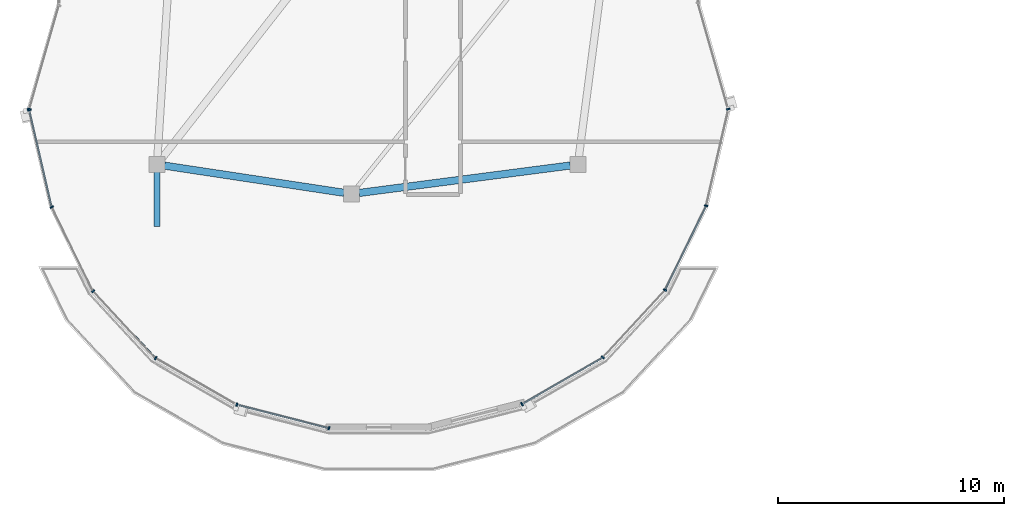
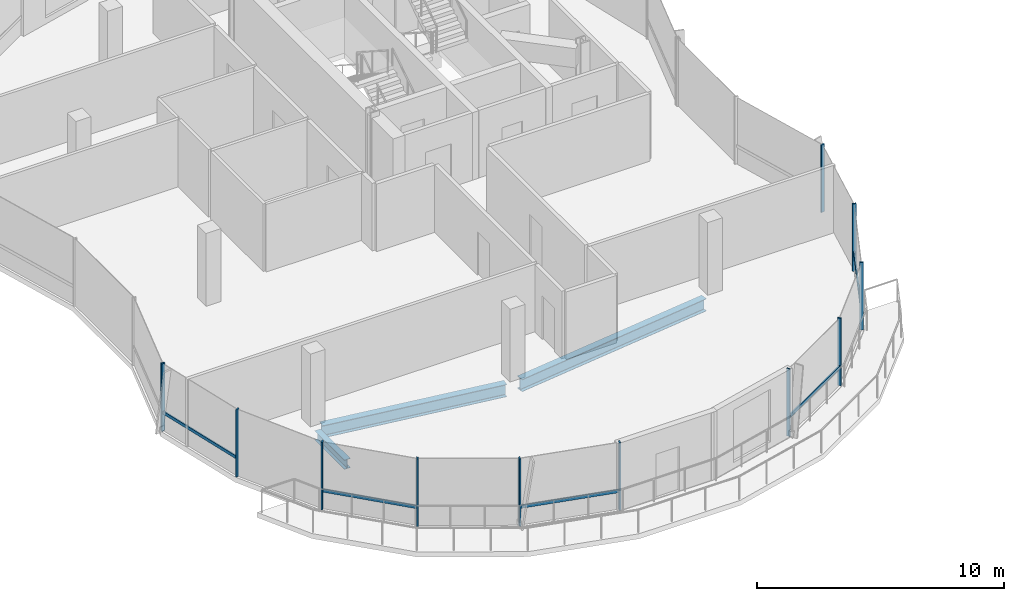
# One storey, part 2 of 20: 17 members, 3 beams, 3 elements without a shape of their own.
"""IFC4 building model written with IfcOpenShell, lengths in metres."""

import ifcopenshell
import ifcopenshell.guid

model = None  # the IFC model being written
_history = None  # IfcOwnerHistory: only IFC2X3 demands one
_inside = {}  # id of a spatial element -> (the spatial element, [elements in it])
_under = {}  # id of a project, library or spatial element -> (it, [spatial elements below it])
_declared = {}  # id of a project -> (the project, [libraries it declares])
_typed = {}  # id of a type object -> (the type object, [elements of that type])
_made_of = {}  # id of a material, layer set ... -> (it, [elements and type objects made of it])


def new_model(schema):
    """Start an empty IFC model of exactly this schema.

    Asked for "IFC4X3", IfcOpenShell would pick the latest addendum, in which some entities
    have other attributes; the version numbers below select the first issue.
    IFC2X3 requires an IfcOwnerHistory on every rooted entity: one is made here for all.
    """
    global model, _history
    if schema == "IFC4X3":
        model = ifcopenshell.file(schema_version=(4, 3, 0, 0))
    else:
        model = ifcopenshell.file(schema=schema)
    _inside.clear()
    _under.clear()
    _declared.clear()
    _typed.clear()
    _made_of.clear()
    _history = None
    if model.schema == "IFC2X3":
        org = make("IfcOrganization", Name="unknown")
        user = make(
            "IfcPersonAndOrganization",
            ThePerson=make("IfcPerson", FamilyName="unknown"),
            TheOrganization=org,
        )
        app = make(
            "IfcApplication",
            ApplicationDeveloper=org,
            Version="unknown",
            ApplicationFullName="unknown",
            ApplicationIdentifier="unknown",
        )
        _history = make(
            "IfcOwnerHistory",
            OwningUser=user,
            OwningApplication=app,
            ChangeAction="ADDED",
            CreationDate=0,
        )
    return model


def make(cls, **values):
    """One entity of the class cls with the attributes given. An attribute that is None is left unset."""
    return model.create_entity(
        cls, **{name: value for name, value in values.items() if value is not None}
    )


def rooted(cls, **values):
    """An entity with a GlobalId (a new one), such as an element, a storey or a relation."""
    return make(cls, GlobalId=ifcopenshell.guid.new(), OwnerHistory=_history, **values)


def si_unit(unit_type, name, prefix=None):
    """IfcSIUnit, for example si_unit("LENGTHUNIT", "METRE", prefix="MILLI")."""
    return make("IfcSIUnit", UnitType=unit_type, Prefix=prefix, Name=name)


def assignment(units):
    """IfcUnitAssignment: the units of a project."""
    return None if units is None else make("IfcUnitAssignment", Units=units)


def point(xyz):
    """IfcCartesianPoint."""
    return None if xyz is None else make("IfcCartesianPoint", Coordinates=xyz)


def direction(xyz):
    """IfcDirection."""
    return None if xyz is None else make("IfcDirection", DirectionRatios=xyz)


def frame(location, z_axis=None, x_axis=None):
    """IfcAxis2Placement3D, a coordinate frame: its origin and axes. An axis left out is left unset."""
    return make(
        "IfcAxis2Placement3D",
        Location=point(location),
        Axis=direction(z_axis),
        RefDirection=direction(x_axis),
    )


def frame_2d(location, x_axis=None):
    """IfcAxis2Placement2D, a coordinate frame in the plane: its origin and x axis."""
    return make(
        "IfcAxis2Placement2D", Location=point(location), RefDirection=direction(x_axis)
    )


def origin():
    """The frame at (0, 0, 0) with its axes left unset."""
    return frame((0.0, 0.0, 0.0))


def origin_2d():
    """The frame at (0, 0) in the plane with its x axis left unset."""
    return frame_2d((0.0, 0.0))


def place(relative_to, where):
    """IfcLocalPlacement: puts the frame where relative to a parent placement (None: the world)."""
    return make(
        "IfcLocalPlacement", PlacementRelTo=relative_to, RelativePlacement=where
    )


def context(
    kind, dimensions, precision=None, world=None, true_north=None, identifier=None
):
    """IfcGeometricRepresentationContext, for example the 3D "Model" context."""
    return make(
        "IfcGeometricRepresentationContext",
        ContextIdentifier=identifier,
        ContextType=kind,
        CoordinateSpaceDimension=dimensions,
        Precision=precision,
        WorldCoordinateSystem=world,
        TrueNorth=true_north,
    )


def subcontext(parent, identifier, kind, view, scale=None):
    """IfcGeometricRepresentationSubContext, for example "Body" below "Model"."""
    return make(
        "IfcGeometricRepresentationSubContext",
        ContextIdentifier=identifier,
        ContextType=kind,
        ParentContext=parent,
        TargetScale=scale,
        TargetView=view,
    )


def project(units=None, contexts=None):
    """IfcProject with its units and contexts."""
    return rooted(
        "IfcProject",
        Name="project",
        RepresentationContexts=contexts,
        UnitsInContext=assignment(units),
    )


def spatial(cls, under=None, at=None, **own):
    """A site, building, storey or space (cls), placed at a placement, below another one or the project."""
    s = rooted(cls, ObjectPlacement=at, **own)
    if under is not None:
        _under.setdefault(under.id(), (under, []))[1].append(s)
    return s


def profile(cls, at=None, kind="AREA", **sizes):
    """A parametric profile (cls). Its sizes go by their IFC names, for example OverallWidth=200.0."""
    return make(cls, ProfileType=kind, Position=at, **sizes)


def rectangle(**sizes):
    """IfcRectangleProfileDef."""
    return profile("IfcRectangleProfileDef", **sizes)


def i_section(**sizes):
    """IfcIShapeProfileDef."""
    return profile("IfcIShapeProfileDef", **sizes)


def extrude(swept, where, along, depth):
    """IfcExtrudedAreaSolid: the profile swept, set in the frame where, extruded along a direction by depth."""
    return make(
        "IfcExtrudedAreaSolid",
        SweptArea=swept,
        Position=where,
        ExtrudedDirection=direction(along),
        Depth=depth,
    )


def shape(context_of_items, identifier, shape_type, items):
    """IfcShapeRepresentation: the items that make up one representation, for example the "Body"."""
    return make(
        "IfcShapeRepresentation",
        ContextOfItems=context_of_items,
        RepresentationIdentifier=identifier,
        RepresentationType=shape_type,
        Items=items,
    )


def material(Name=None, Category=None):
    """IfcMaterial."""
    return make("IfcMaterial", Name=Name, Category=Category)


def material_profile(
    of_material, cross_section, Name=None, Category=None, Priority=None
):
    """IfcMaterialProfile: a cross section and its material."""
    return make(
        "IfcMaterialProfile",
        Name=Name,
        Material=of_material,
        Profile=cross_section,
        Priority=Priority,
        Category=Category,
    )


def profile_set(profiles, Name=None, composite=None):
    """IfcMaterialProfileSet."""
    return make(
        "IfcMaterialProfileSet",
        Name=Name,
        MaterialProfiles=profiles,
        CompositeProfile=composite,
    )


def made_of(thing, what):
    """Note that an element or type object is made of a material, layer set ...; save() writes the relation."""
    if what is not None:
        _made_of.setdefault(what.id(), (what, []))[1].append(thing)
    return thing


def type_object(cls, material=None, **own):
    """A type object (cls), such as IfcWallType, which elements share."""
    return made_of(rooted(cls, **own), material)


def element(
    cls,
    number,
    at=None,
    inside=None,
    cuts=None,
    type_object=None,
    material=None,
    context=None,
    identifier="Body",
    shape_type=None,
    held_by="IfcProductDefinitionShape",
    body=None,
    shapes=None,
    **own,
):
    """One element of the class cls, such as IfcWall. Its Tag is "e" and its number.

    at: its placement. inside: the storey or other place that contains it. cuts: it is an
    opening in that element (IfcRelVoidsElement). A single representation is given by context,
    identifier, shape_type and body (its items); several are given by shapes. held_by: the class
    of the entity that holds the representations. save() writes the other relations.
    """
    e = rooted(cls, Tag="e%d" % number, ObjectPlacement=at, **own)
    if body is not None:
        shapes = [shape(context, identifier, shape_type, body)]
    if shapes is not None:
        e.Representation = make(held_by, Representations=shapes)
    if inside is not None:
        _inside.setdefault(inside.id(), (inside, []))[1].append(e)
    if cuts is not None:
        rooted(
            "IfcRelVoidsElement", RelatingBuildingElement=cuts, RelatedOpeningElement=e
        )
    if type_object is not None:
        _typed.setdefault(type_object.id(), (type_object, []))[1].append(e)
    return made_of(e, material)


def aggregate(whole, parts):
    """IfcRelAggregates: a whole, such as a stair, and the parts it consists of."""
    return rooted("IfcRelAggregates", RelatingObject=whole, RelatedObjects=parts)


def save(model, path):
    """Write the relations noted so far, then the file.

    IfcRelAggregates (storeys below a building ...), IfcRelContainedInSpatialStructure (elements
    in a storey), IfcRelDefinesByType, IfcRelAssociatesMaterial and IfcRelDeclares: one each for
    every whole, place, type object, material and project.
    """
    for whole, parts in _under.values():
        aggregate(whole, parts)
    for where, things in _inside.values():
        rooted(
            "IfcRelContainedInSpatialStructure",
            RelatedElements=things,
            RelatingStructure=where,
        )
    for kind, things in _typed.values():
        rooted("IfcRelDefinesByType", RelatedObjects=things, RelatingType=kind)
    for what, things in _made_of.values():
        rooted("IfcRelAssociatesMaterial", RelatedObjects=things, RelatingMaterial=what)
    for by, libraries in _declared.values():
        rooted("IfcRelDeclares", RelatingContext=by, RelatedDefinitions=libraries)
    model.write(path)


model = new_model("IFC4")

# Units and contexts
model_context = context("Model", 3, precision=1e-05, world=origin(), true_north=direction((0.0, 1.0)))
body_context = subcontext(model_context, "Body", "Model", "MODEL_VIEW")
ifc_project = project(units=[si_unit("LENGTHUNIT", "METRE"), si_unit("AREAUNIT", "SQUARE_METRE"), si_unit("VOLUMEUNIT", "CUBIC_METRE"), si_unit("PLANEANGLEUNIT", "RADIAN"), si_unit("MASSUNIT", "GRAM", prefix="KILO"), si_unit("THERMODYNAMICTEMPERATUREUNIT", "KELVIN"), si_unit("POWERUNIT", "WATT")], contexts=[model_context])

# Site, building, storey
site_placement = place(None, origin())
site = spatial("IfcSite", under=ifc_project, at=site_placement, CompositionType="ELEMENT")
building_placement = place(site_placement, origin())
building = spatial("IfcBuilding", under=site, at=building_placement, Name="Cundina Bronze Exchange", CompositionType="ELEMENT")
storey_placement = place(building_placement, frame((0.0, 0.0, 279.199951171875)))
storey = spatial("IfcBuildingStorey", under=building, at=storey_placement, Name="L74", CompositionType="ELEMENT", Elevation=279.199951171875)

# Beams
ifc_material_1 = material(Name="Steel ASTM A992 Grade 50", Category="steel")
ifc_material_profile_1 = material_profile(ifc_material_1, i_section(OverallWidth=0.280029296875, OverallDepth=0.462890625, WebThickness=0.0107421875, FlangeThickness=0.017333984375, FilletRadius=0.011962890625, at=origin_2d()), Name="W18X76", Category="steel")
ifc_profile_set_1 = profile_set([ifc_material_profile_1], Name="Steel ASTM A992 Grade 50")
beam_type_1 = type_object("IfcBeamType", Name="BM-FLR-W18A", PredefinedType="BEAM", material=ifc_profile_set_1)
beam_1_placement = place(storey_placement, frame((-41.800048828125, -9.837890625, -0.496337890625), z_axis=(0.0, -1.0, 0.0), x_axis=(1.0, 0.0, 0.0)))
element("IfcBeam", 1, at=beam_1_placement, inside=storey, type_object=beam_type_1, Name="L74 W Crown Terrace Edge Bracket 2", PredefinedType="BEAM", context=body_context, shape_type="SweptSolid", body=[
    extrude(i_section(OverallWidth=0.280029296875, OverallDepth=0.462890625, WebThickness=0.0107421875, FlangeThickness=0.017333984375, FilletRadius=0.011962890625, at=origin_2d()), origin(), (0.0, 0.0, 1.0), 2.412109375),
])
ifc_material_profile_2 = material_profile(ifc_material_1, i_section(OverallWidth=0.324951171875, OverallDepth=0.615966796875, WebThickness=0.013916015625, FlangeThickness=0.021484375, FilletRadius=0.01611328125, at=origin_2d()), Name="W24X117", Category="steel")
ifc_profile_set_2 = profile_set([ifc_material_profile_2], Name="Steel ASTM A992 Grade 50")
beam_type_2 = type_object("IfcBeamType", Name="BM-RING-W24", PredefinedType="USERDEFINED", material=ifc_profile_set_2)
beam_2_placement = place(storey_placement, frame((-41.4658203125, -9.550537109375, -0.56787109375), z_axis=(0.988766944604, -0.149465478483, 0.0), x_axis=(0.149465478483, 0.988766944604, 0.0)))
element("IfcBeam", 2, at=beam_2_placement, inside=storey, type_object=beam_type_2, Name="L74 W Inner Structural Ring Girder 05", ObjectType="GIRDER", PredefinedType="USERDEFINED", context=body_context, shape_type="SweptSolid", body=[
    extrude(i_section(OverallWidth=0.324951171875, OverallDepth=0.615966796875, WebThickness=0.013916015625, FlangeThickness=0.021484375, FilletRadius=0.01611328125, at=origin_2d()), origin(), (0.0, 0.0, 1.0), 8.021728515625),
])
beam_3_placement = place(storey_placement, frame((-32.86474609375, -10.75634765625, -0.56787109375), z_axis=(0.991658337433, 0.128894304758, 0.0), x_axis=(-0.128894304758, 0.991658337433, 0.0)))
element("IfcBeam", 3, at=beam_3_placement, inside=storey, type_object=beam_type_2, Name="L74 W Inner Structural Ring Girder 06", ObjectType="GIRDER", PredefinedType="USERDEFINED", context=body_context, shape_type="SweptSolid", body=[
    extrude(i_section(OverallWidth=0.324951171875, OverallDepth=0.615966796875, WebThickness=0.013916015625, FlangeThickness=0.021484375, FilletRadius=0.01611328125, at=origin_2d()), origin(), (0.0, 0.0, 1.0), 9.407958984375),
])

# Curtain wall, member
ifc_material_2 = material(Name="Anodised Bronze Aluminium 6063-T6", Category="aluminium")
curtain_wall_type = type_object("IfcCurtainWallType", Name="CWS-CRN-TMD", PredefinedType="NOTDEFINED", material=ifc_material_2)
curtain_wall_1_placement = place(storey_placement, origin())
curtain_wall_1 = element("IfcCurtainWall", 4, at=curtain_wall_1_placement, inside=storey, type_object=curtain_wall_type, Name="L74 CW-07 Curtain Wall Run CWR-L74-W2", PredefinedType="NOTDEFINED")
ifc_material_profile_3 = material_profile(ifc_material_2, rectangle(XDim=0.06494140625, YDim=0.159912109375, at=origin_2d()), Name="AL65X160", Category="aluminium")
ifc_profile_set_3 = profile_set([ifc_material_profile_3], Name="Anodised Bronze Aluminium 6063-T6")
member_type_1 = type_object("IfcMemberType", Name="CWM-MUL-160", PredefinedType="MULLION", material=ifc_profile_set_3)
member_1_placement = place(storey_placement, frame((-47.4453125, -7.0517578125, 0.0), z_axis=(0.0, 0.0, 1.0), x_axis=(-0.274630573972, -0.961549815579, 0.0)))
member_1 = element("IfcMember", 5, at=member_1_placement, type_object=member_type_1, Name="CW-07 End Mullion", PredefinedType="MULLION", context=body_context, shape_type="SweptSolid", body=[
    extrude(rectangle(XDim=0.06494140625, YDim=0.159912109375, at=origin_2d()), origin(), (0.0, 0.0, 1.0), 3.340087890625),
])
aggregate(curtain_wall_1, [member_1])

# Curtain wall, members
curtain_wall_2_placement = place(storey_placement, origin())
curtain_wall_2 = element("IfcCurtainWall", 6, at=curtain_wall_2_placement, inside=storey, type_object=curtain_wall_type, Name="L74 CW-07 Curtain Wall Run CWR-L74-W3", PredefinedType="NOTDEFINED")
member_2_placement = place(storey_placement, frame((-47.4462890625, -7.08984375, 0.0), z_axis=(0.0, 0.0, 1.0), x_axis=(0.225291159947, -0.974291482694, 0.0)))
member_2 = element("IfcMember", 7, at=member_2_placement, type_object=member_type_1, Name="CW-07 Mullion 1", PredefinedType="MULLION", context=body_context, shape_type="SweptSolid", body=[
    extrude(rectangle(XDim=0.06494140625, YDim=0.159912109375, at=origin_2d()), origin(), (0.0, 0.0, 1.0), 3.340087890625),
])
member_3_placement = place(storey_placement, frame((-46.4462890625, -11.382080078125, 0.0), z_axis=(0.0, 0.0, 1.0), x_axis=(0.43915532554, -0.898411153119, 0.0)))
member_3 = element("IfcMember", 8, at=member_3_placement, type_object=member_type_1, Name="CW-07 Mullion 2", PredefinedType="MULLION", context=body_context, shape_type="SweptSolid", body=[
    extrude(rectangle(XDim=0.06494140625, YDim=0.159912109375, at=origin_2d()), origin(), (0.0, 0.0, 1.0), 3.340087890625),
])
member_4_placement = place(storey_placement, frame((-44.619873046875, -15.097412109375, 0.0), z_axis=(0.0, 0.0, 1.0), x_axis=(0.680465121782, -0.732780470562, 0.0)))
member_4 = element("IfcMember", 9, at=member_4_placement, type_object=member_type_1, Name="CW-07 Mullion 3", PredefinedType="MULLION", context=body_context, shape_type="SweptSolid", body=[
    extrude(rectangle(XDim=0.06494140625, YDim=0.159912109375, at=origin_2d()), origin(), (0.0, 0.0, 1.0), 3.340087890625),
])
member_5_placement = place(storey_placement, frame((-41.859619140625, -18.05615234375, 0.0), z_axis=(0.0, 0.0, 1.0), x_axis=(0.866461406284, -0.499244059975, 0.0)))
member_5 = element("IfcMember", 10, at=member_5_placement, type_object=member_type_1, Name="CW-07 Mullion 4", PredefinedType="MULLION", context=body_context, shape_type="SweptSolid", body=[
    extrude(rectangle(XDim=0.06494140625, YDim=0.159912109375, at=origin_2d()), origin(), (0.0, 0.0, 1.0), 3.340087890625),
])
member_6_placement = place(storey_placement, frame((-38.272216796875, -20.11328125, 0.0), z_axis=(0.0, 0.0, 1.0), x_axis=(0.968756543371, -0.248013628006, 0.0)))
member_6 = element("IfcMember", 11, at=member_6_placement, type_object=member_type_1, Name="CW-07 Mullion 5", PredefinedType="MULLION", context=body_context, shape_type="SweptSolid", body=[
    extrude(rectangle(XDim=0.06494140625, YDim=0.159912109375, at=origin_2d()), origin(), (0.0, 0.0, 1.0), 3.340087890625),
])
member_7_placement = place(storey_placement, frame((-34.197265625, -21.15673828125, 0.0), z_axis=(0.0, 0.0, 1.0), x_axis=(0.968756543371, -0.248013628006, 0.0)))
member_7 = element("IfcMember", 12, at=member_7_placement, type_object=member_type_1, Name="CW-07 End Mullion", PredefinedType="MULLION", context=body_context, shape_type="SweptSolid", body=[
    extrude(rectangle(XDim=0.06494140625, YDim=0.159912109375, at=origin_2d()), origin(), (0.0, 0.0, 1.0), 3.340087890625),
])

curtain_wall_3_placement = place(storey_placement, origin())
curtain_wall_3 = element("IfcCurtainWall", 13, at=curtain_wall_3_placement, inside=storey, type_object=curtain_wall_type, Name="L74 CW-07 Curtain Wall Run CWR-L74-W4", PredefinedType="NOTDEFINED")
member_8_placement = place(storey_placement, frame((-25.66943359375, -20.089599609375, 0.0), z_axis=(0.0, 0.0, 1.0), x_axis=(0.866461406284, 0.499244059975, 0.0)))
member_8 = element("IfcMember", 14, at=member_8_placement, type_object=member_type_1, Name="CW-07 Mullion 1", PredefinedType="MULLION", context=body_context, shape_type="SweptSolid", body=[
    extrude(rectangle(XDim=0.06494140625, YDim=0.159912109375, at=origin_2d()), origin(), (0.0, 0.0, 1.0), 3.340087890625),
])
member_9_placement = place(storey_placement, frame((-22.09326171875, -18.0185546875, 0.0), z_axis=(0.0, 0.0, 1.0), x_axis=(0.680465121782, 0.732780470562, 0.0)))
member_9 = element("IfcMember", 15, at=member_9_placement, type_object=member_type_1, Name="CW-07 Mullion 2", PredefinedType="MULLION", context=body_context, shape_type="SweptSolid", body=[
    extrude(rectangle(XDim=0.06494140625, YDim=0.159912109375, at=origin_2d()), origin(), (0.0, 0.0, 1.0), 3.340087890625),
])
member_10_placement = place(storey_placement, frame((-19.345947265625, -15.047119140625, 0.0), z_axis=(0.0, 0.0, 1.0), x_axis=(0.43915532554, 0.898411153119, 0.0)))
member_10 = element("IfcMember", 16, at=member_10_placement, type_object=member_type_1, Name="CW-07 Mullion 3", PredefinedType="MULLION", context=body_context, shape_type="SweptSolid", body=[
    extrude(rectangle(XDim=0.06494140625, YDim=0.159912109375, at=origin_2d()), origin(), (0.0, 0.0, 1.0), 3.340087890625),
])
member_11_placement = place(storey_placement, frame((-17.53125, -11.318115234375, 0.0), z_axis=(0.0, 0.0, 1.0), x_axis=(0.225291159947, 0.974291482694, 0.0)))
member_11 = element("IfcMember", 17, at=member_11_placement, type_object=member_type_1, Name="CW-07 Mullion 4", PredefinedType="MULLION", context=body_context, shape_type="SweptSolid", body=[
    extrude(rectangle(XDim=0.06494140625, YDim=0.159912109375, at=origin_2d()), origin(), (0.0, 0.0, 1.0), 3.340087890625),
])
member_12_placement = place(storey_placement, frame((-16.5546875, -7.0517578125, 0.0), z_axis=(0.0, 0.0, 1.0), x_axis=(-0.274630573972, 0.961549815579, 0.0)))
member_12 = element("IfcMember", 18, at=member_12_placement, type_object=member_type_1, Name="CW-07 Mullion 5", PredefinedType="MULLION", context=body_context, shape_type="SweptSolid", body=[
    extrude(rectangle(XDim=0.06494140625, YDim=0.159912109375, at=origin_2d()), origin(), (0.0, 0.0, 1.0), 3.340087890625),
])

# Member
ifc_material_profile_4 = material_profile(ifc_material_2, rectangle(XDim=0.06494140625, YDim=0.14990234375, at=origin_2d()), Name="AL65X150", Category="aluminium")
ifc_profile_set_4 = profile_set([ifc_material_profile_4], Name="Anodised Bronze Aluminium 6063-T6")
member_type_2 = type_object("IfcMemberType", Name="CWM-TRN-150", PredefinedType="USERDEFINED", material=ifc_profile_set_4)
member_13_placement = place(storey_placement, frame((-47.438232421875, -7.12451171875, 0.920166015625), z_axis=(0.225237460129, -0.97430389846, 0.0), x_axis=(0.97430389846, 0.225237460129, 0.0)))
member_13 = element("IfcMember", 19, at=member_13_placement, type_object=member_type_2, Name="CW-07 Spandrel Transom 1", ObjectType="TRANSOM", PredefinedType="USERDEFINED", context=body_context, shape_type="SweptSolid", body=[
    extrude(rectangle(XDim=0.06494140625, YDim=0.14990234375, at=origin_2d()), origin(), (0.0, 0.0, 1.0), 4.340087890625),
])

member_14_placement = place(storey_placement, frame((-44.595458984375, -15.12353515625, 0.920166015625), z_axis=(0.680507467349, -0.732741145892, 0.0), x_axis=(0.732741145892, 0.680507467349, 0.0)))
member_14 = element("IfcMember", 20, at=member_14_placement, type_object=member_type_2, Name="CW-07 Spandrel Transom 3", ObjectType="TRANSOM", PredefinedType="USERDEFINED", context=body_context, shape_type="SweptSolid", body=[
    extrude(rectangle(XDim=0.06494140625, YDim=0.14990234375, at=origin_2d()), origin(), (0.0, 0.0, 1.0), 3.98681640625),
])

member_15_placement = place(storey_placement, frame((-38.237548828125, -20.122314453125, 0.920166015625), z_axis=(0.968747952025, -0.248047183913, 0.0), x_axis=(0.248047183913, 0.968747952025, 0.0)))
member_15 = element("IfcMember", 21, at=member_15_placement, type_object=member_type_2, Name="CW-07 Spandrel Transom 5", ObjectType="TRANSOM", PredefinedType="USERDEFINED", context=body_context, shape_type="SweptSolid", body=[
    extrude(rectangle(XDim=0.06494140625, YDim=0.14990234375, at=origin_2d()), origin(), (0.0, 0.0, 1.0), 4.134765625),
])

aggregate(curtain_wall_2, [member_2, member_13, member_3, member_4, member_14, member_5, member_6, member_7, member_15])

member_16_placement = place(storey_placement, frame((-25.638427734375, -20.07177734375, 0.920166015625), z_axis=(0.866429964967, 0.499298623879, 0.0), x_axis=(-0.499298623879, 0.866429964967, 0.0)))
member_16 = element("IfcMember", 22, at=member_16_placement, type_object=member_type_2, Name="CW-07 Spandrel Transom 1", ObjectType="TRANSOM", PredefinedType="USERDEFINED", context=body_context, shape_type="SweptSolid", body=[
    extrude(rectangle(XDim=0.06494140625, YDim=0.14990234375, at=origin_2d()), origin(), (0.0, 0.0, 1.0), 4.072998046875),
])

member_17_placement = place(storey_placement, frame((-19.330078125, -15.01513671875, 0.920166015625), z_axis=(0.439225157516, 0.898377014958, 0.0), x_axis=(-0.898377014958, 0.439225157516, 0.0)))
member_17 = element("IfcMember", 23, at=member_17_placement, type_object=member_type_2, Name="CW-07 Spandrel Transom 3", ObjectType="TRANSOM", PredefinedType="USERDEFINED", context=body_context, shape_type="SweptSolid", body=[
    extrude(rectangle(XDim=0.06494140625, YDim=0.14990234375, at=origin_2d()), origin(), (0.0, 0.0, 1.0), 4.079833984375),
])

aggregate(curtain_wall_3, [member_8, member_16, member_9, member_10, member_17, member_11, member_12])

save(model, "model.ifc")
